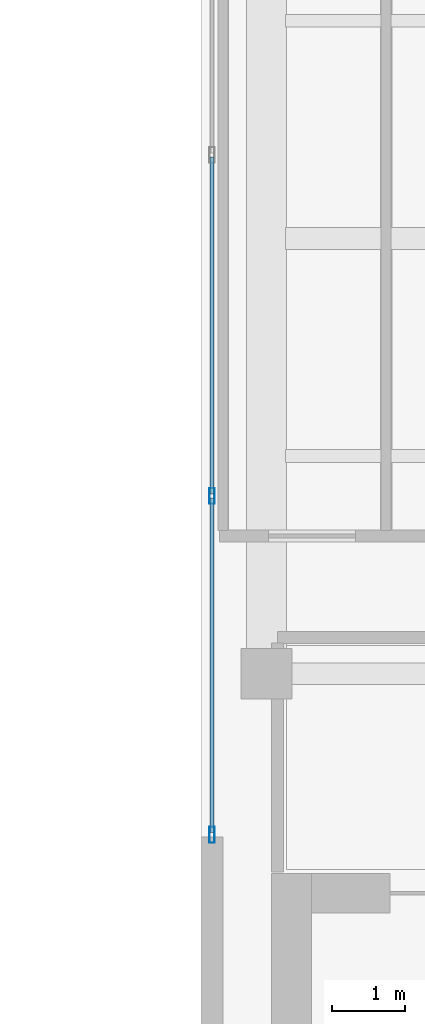
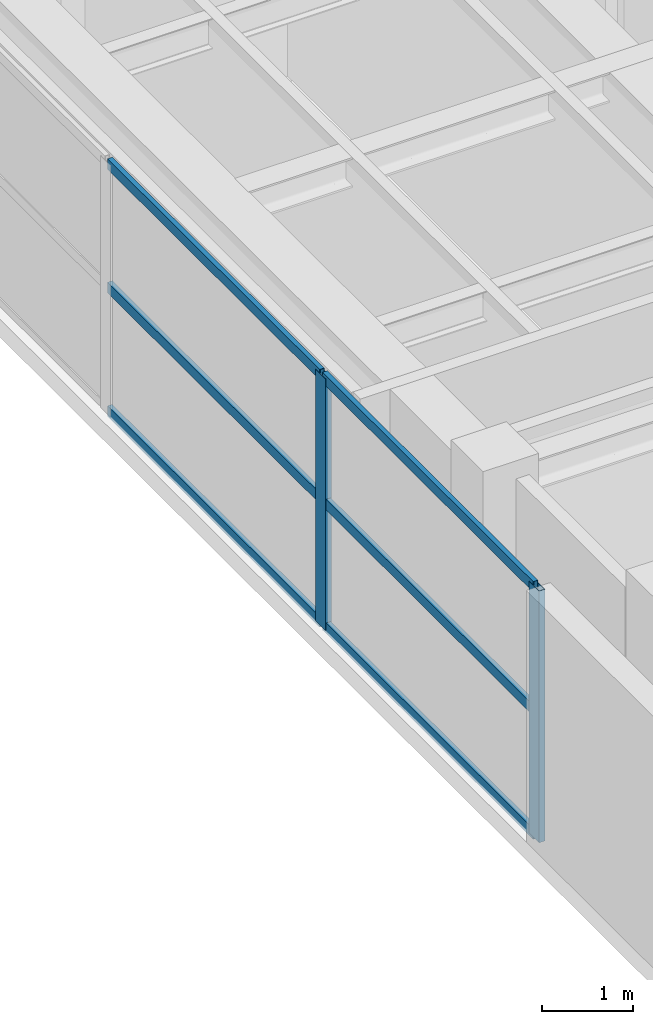
# One storey, part 10 of 23: 8 members, 1 element without a shape of its own.
"""IFC4 building model written with IfcOpenShell, lengths in metres."""

from ifc_helpers import new_model, si_unit, direction, frame, origin, origin_2d, place, context, subcontext, project, spatial, hollow_rectangle, extrude, source, transform, mapped, material, layer, layer_set, material_profile, profile_set, type_object, element, aggregate, save


model = new_model("IFC4")

# Units and contexts
model_context = context("Model", 3, precision=1e-05, world=origin(), true_north=direction((0.0, 1.0)))
body_context = subcontext(model_context, "Body", "Model", "MODEL_VIEW")
ifc_project = project(units=[si_unit("LENGTHUNIT", "METRE"), si_unit("AREAUNIT", "SQUARE_METRE"), si_unit("VOLUMEUNIT", "CUBIC_METRE"), si_unit("PLANEANGLEUNIT", "RADIAN"), si_unit("MASSUNIT", "GRAM", prefix="KILO")], contexts=[model_context])

# Site, building, storey
site_placement = place(None, origin())
site = spatial("IfcSite", under=ifc_project, at=site_placement, CompositionType="ELEMENT")
building_placement = place(site_placement, origin())
building = spatial("IfcBuilding", under=site, at=building_placement, Name="Khoralis Quay Care Tower", CompositionType="ELEMENT")
storey_placement = place(building_placement, frame((0.0, 0.0, 252.89990234375)))
storey = spatial("IfcBuildingStorey", under=building, at=storey_placement, Name="L66", CompositionType="ELEMENT", Elevation=252.89990234375)

# Curtain wall, members
ifc_material = material(Name="Pale anodised aluminium", Category="aluminium")
ifc_layer = layer(ifc_material, 0.18994140625)
ifc_layer_set = layer_set([ifc_layer], Name="Pale anodised aluminium")
curtain_wall_type = type_object("IfcCurtainWallType", Name="CW-SYS-PORTAL", PredefinedType="NOTDEFINED", material=ifc_layer_set)
curtain_wall_placement = place(storey_placement, origin())
curtain_wall = element("IfcCurtainWall", 1, at=curtain_wall_placement, inside=storey, type_object=curtain_wall_type, Name="L66 Unitised Curtain Wall CW-VP-L66-P2-N", PredefinedType="NOTDEFINED")
ifc_material_profile_1 = material_profile(ifc_material, hollow_rectangle(XDim=0.06005859375, YDim=0.139892578125, WallThickness=0.00390625, at=origin_2d()), Name="Pale anodised aluminium")
ifc_profile_set_1 = profile_set([ifc_material_profile_1], Name="Pale anodised aluminium")
member_type_1 = type_object("IfcMemberType", Name="CW-TRN-140", PredefinedType="USERDEFINED", material=ifc_profile_set_1)
shared_shape_1 = source(origin(), body_context, "Body", "SweptSolid", [
    extrude(hollow_rectangle(XDim=0.06005859375, YDim=0.139892578125, WallThickness=0.00390625, at=origin_2d()), origin(), (0.0, 0.0, 1.0), 4.64013671875),
])
member_1_placement = place(storey_placement, frame((30.14990234375, 32.47998046875, 0.030029296875), z_axis=(0.0, 1.0, 0.0), x_axis=(-1.0, 0.0, 0.0)))
member_1 = element("IfcMember", 2, at=member_1_placement, type_object=member_type_1, Name="CW4 transom 2.1", ObjectType="TRANSOM", PredefinedType="USERDEFINED", context=body_context, shape_type="MappedRepresentation", body=[
    mapped(shared_shape_1, transform((0.0, 0.0, 0.0), scale=1.0)),
])
member_2_placement = place(storey_placement, frame((30.14990234375, 32.47998046875, 1.68017578125), z_axis=(0.0, 1.0, 0.0), x_axis=(-1.0, 0.0, 0.0)))
member_2 = element("IfcMember", 3, at=member_2_placement, type_object=member_type_1, Name="CW4 transom 2.2", ObjectType="TRANSOM", PredefinedType="USERDEFINED", context=body_context, shape_type="MappedRepresentation", body=[
    mapped(shared_shape_1, transform((0.0, 0.0, 0.0), scale=1.0)),
])
member_3_placement = place(storey_placement, frame((30.14990234375, 32.47998046875, 3.330078125), z_axis=(0.0, 1.0, 0.0), x_axis=(-1.0, 0.0, 0.0)))
member_3 = element("IfcMember", 4, at=member_3_placement, type_object=member_type_1, Name="CW4 transom 2.3", ObjectType="TRANSOM", PredefinedType="USERDEFINED", context=body_context, shape_type="MappedRepresentation", body=[
    mapped(shared_shape_1, transform((0.0, 0.0, 0.0), scale=1.0)),
])
shared_shape_2 = source(origin(), body_context, "Body", "SweptSolid", [
    extrude(hollow_rectangle(XDim=0.06005859375, YDim=0.139892578125, WallThickness=0.00390625, at=origin_2d()), origin(), (0.0, 0.0, 1.0), 4.60986328125),
])
member_4_placement = place(storey_placement, frame((30.14990234375, 27.81005859375, 0.030029296875), z_axis=(0.0, 1.0, 0.0), x_axis=(-1.0, 0.0, 0.0)))
member_4 = element("IfcMember", 5, at=member_4_placement, type_object=member_type_1, Name="CW4 transom 1.1", ObjectType="TRANSOM", PredefinedType="USERDEFINED", context=body_context, shape_type="MappedRepresentation", body=[
    mapped(shared_shape_2, transform((0.0, 0.0, 0.0), scale=1.0)),
])
member_5_placement = place(storey_placement, frame((30.14990234375, 27.81005859375, 1.68017578125), z_axis=(0.0, 1.0, 0.0), x_axis=(-1.0, 0.0, 0.0)))
member_5 = element("IfcMember", 6, at=member_5_placement, type_object=member_type_1, Name="CW4 transom 1.2", ObjectType="TRANSOM", PredefinedType="USERDEFINED", context=body_context, shape_type="MappedRepresentation", body=[
    mapped(shared_shape_2, transform((0.0, 0.0, 0.0), scale=1.0)),
])
member_6_placement = place(storey_placement, frame((30.14990234375, 27.81005859375, 3.330078125), z_axis=(0.0, 1.0, 0.0), x_axis=(-1.0, 0.0, 0.0)))
member_6 = element("IfcMember", 7, at=member_6_placement, type_object=member_type_1, Name="CW4 transom 1.3", ObjectType="TRANSOM", PredefinedType="USERDEFINED", context=body_context, shape_type="MappedRepresentation", body=[
    mapped(shared_shape_2, transform((0.0, 0.0, 0.0), scale=1.0)),
])
ifc_material_profile_2 = material_profile(ifc_material, hollow_rectangle(XDim=0.074951171875, YDim=0.219970703125, WallThickness=0.00390625, at=origin_2d()), Name="Pale anodised aluminium")
ifc_profile_set_2 = profile_set([ifc_material_profile_2], Name="Pale anodised aluminium")
member_type_2 = type_object("IfcMemberType", Name="CW-MUL-220", PredefinedType="MULLION", material=ifc_profile_set_2)
shared_shape_3 = source(origin(), body_context, "Body", "SweptSolid", [
    extrude(hollow_rectangle(XDim=0.074951171875, YDim=0.219970703125, WallThickness=0.00390625, at=origin_2d()), origin(), (0.0, 0.0, 1.0), 3.360107421875),
])
member_7_placement = place(storey_placement, frame((30.14990234375, 27.780029296875, 0.0), z_axis=(0.0, 0.0, 1.0), x_axis=(-1.0, 0.0, 0.0)))
member_7 = element("IfcMember", 8, at=member_7_placement, type_object=member_type_2, Name="CW4 mullion 1", PredefinedType="MULLION", context=body_context, shape_type="MappedRepresentation", body=[
    mapped(shared_shape_3, transform((0.0, 0.0, 0.0), scale=1.0)),
])
member_8_placement = place(storey_placement, frame((30.14990234375, 32.449951171875, 0.0), z_axis=(0.0, 0.0, 1.0), x_axis=(-1.0, 0.0, 0.0)))
member_8 = element("IfcMember", 9, at=member_8_placement, type_object=member_type_2, Name="CW4 mullion 2", PredefinedType="MULLION", context=body_context, shape_type="MappedRepresentation", body=[
    mapped(shared_shape_3, transform((0.0, 0.0, 0.0), scale=1.0)),
])
aggregate(curtain_wall, [member_7, member_8, member_4, member_5, member_6, member_1, member_2, member_3])

save(model, "model.ifc")
